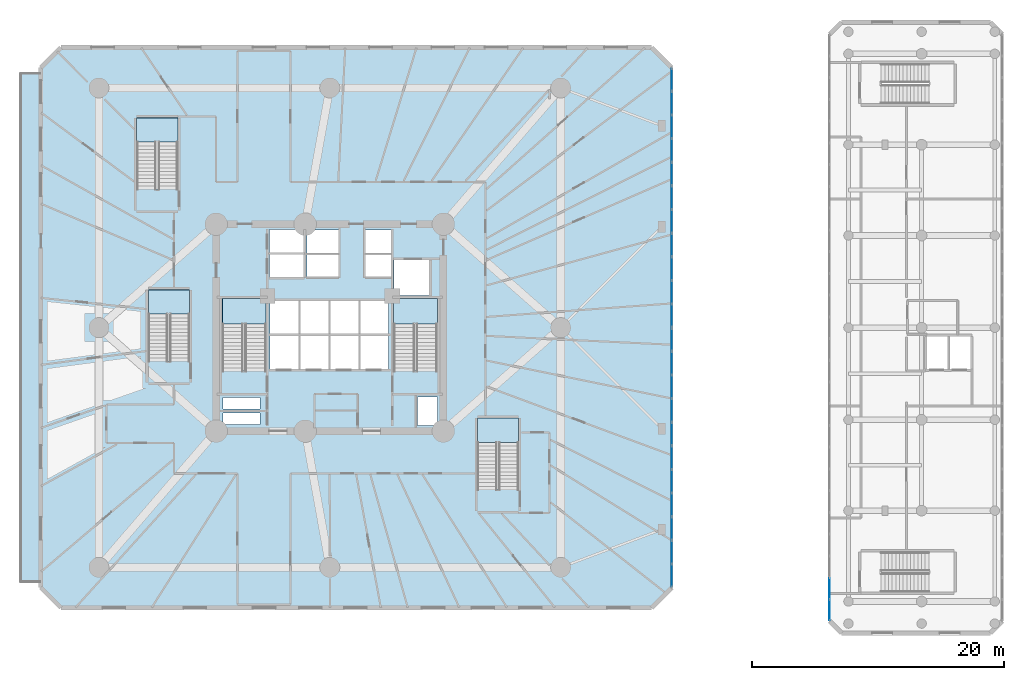
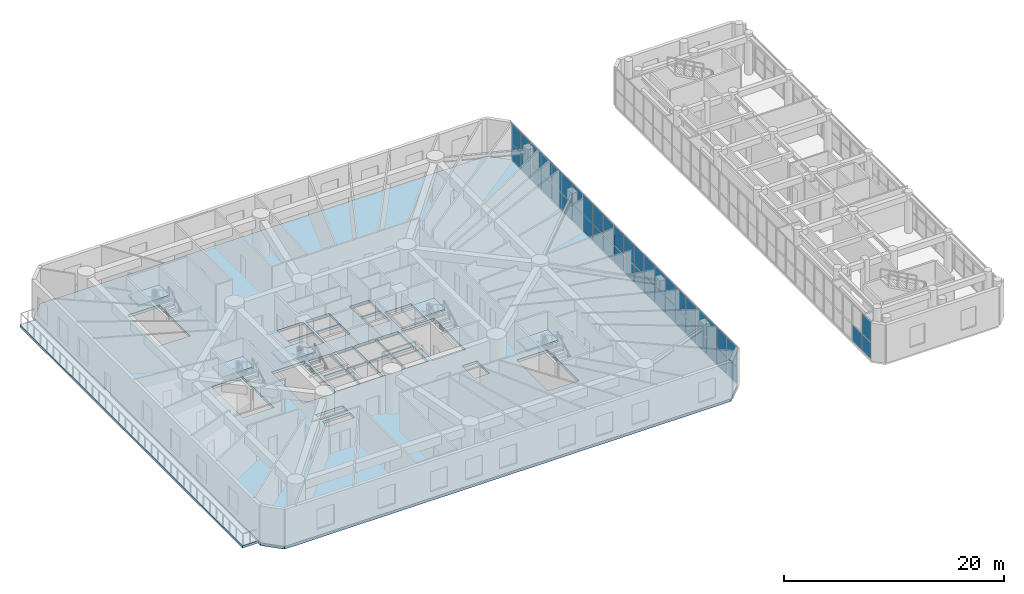
# One storey, part 9 of 24: 47 plates, 7 slabs, 8 elements without a shape of their own.
"""IFC4 building model written with IfcOpenShell, lengths in metres."""

from ifc_helpers import new_model, si_unit, direction, frame, origin, origin_with_axes, origin_2d, place, context, subcontext, project, spatial, polyline, rectangle, outline, extrude, source, transform, mapped, material, layer, layer_set, type_object, element, aggregate, save


model = new_model("IFC4")

# Units and contexts
model_context = context("Model", 3, precision=1e-05, world=origin(), true_north=direction((0.0, 1.0)))
body_context = subcontext(model_context, "Body", "Model", "MODEL_VIEW")
ifc_project = project(units=[si_unit("LENGTHUNIT", "METRE"), si_unit("AREAUNIT", "SQUARE_METRE"), si_unit("VOLUMEUNIT", "CUBIC_METRE"), si_unit("PLANEANGLEUNIT", "RADIAN"), si_unit("MASSUNIT", "GRAM", prefix="KILO")], contexts=[model_context])

# Site, building, storey
site_placement = place(None, origin())
site = spatial("IfcSite", under=ifc_project, at=site_placement, CompositionType="ELEMENT")
building_placement = place(site_placement, origin())
building = spatial("IfcBuilding", under=site, at=building_placement, Name="Karkom Vertical University and Central Library", CompositionType="ELEMENT")
storey_placement = place(building_placement, frame((0.0, 0.0, 13.5)))
storey = spatial("IfcBuildingStorey", under=building, at=storey_placement, Name="L03", CompositionType="ELEMENT", Elevation=13.5)

# Stair, slab
ifc_material_1 = material(Name="Concrete C45/55", Category="concrete")
stair_type_1 = type_object("IfcStairType", Name="INT-STR-ST-MAIN", PredefinedType="HALF_TURN_STAIR", material=ifc_material_1)
stair_1_placement = place(storey_placement, origin())
stair_1 = element("IfcStair", 1, at=stair_1_placement, inside=storey, type_object=stair_type_1, Name="Level 03 Tower Protected Exit Stair ST-1", PredefinedType="HALF_TURN_STAIR")
ifc_layer_1 = layer(ifc_material_1, 0.199951171875)
ifc_layer_set_1 = layer_set([ifc_layer_1], Name="Concrete C45/55")
slab_type_1 = type_object("IfcSlabType", Name="INT-SLB-LANDING", PredefinedType="LANDING", material=ifc_layer_set_1)
slab_1_placement = place(storey_placement, frame((0.0, 0.0, 2.050048828125)))
slab_1 = element("IfcSlab", 2, at=slab_1_placement, type_object=slab_type_1, Name="ST-1 landing 1", PredefinedType="LANDING", context=body_context, shape_type="SweptSolid", body=[
    extrude(outline(polyline([(23.43994140625, 26.7900390625), (23.43994140625, 28.820068359375), (19.97998046875, 28.820068359375), (19.97998046875, 26.7900390625), (23.43994140625, 26.7900390625)])), origin(), (0.0, 0.0, 1.0), 0.199951171875),
])
aggregate(stair_1, [slab_1])

stair_2_placement = place(storey_placement, origin())
stair_2 = element("IfcStair", 3, at=stair_2_placement, inside=storey, type_object=stair_type_1, Name="Level 03 Tower Protected Exit Stair ST-2", PredefinedType="HALF_TURN_STAIR")
slab_2_placement = place(storey_placement, frame((0.0, 0.0, 2.050048828125)))
slab_2 = element("IfcSlab", 4, at=slab_2_placement, type_object=slab_type_1, Name="ST-2 landing 1", PredefinedType="LANDING", context=body_context, shape_type="SweptSolid", body=[
    extrude(outline(polyline([(37.02001953125, 26.7900390625), (37.02001953125, 28.820068359375), (33.56005859375, 28.820068359375), (33.56005859375, 26.7900390625), (37.02001953125, 26.7900390625)])), origin(), (0.0, 0.0, 1.0), 0.199951171875),
])
aggregate(stair_2, [slab_2])

stair_type_2 = type_object("IfcStairType", Name="INT-STR-ST-SEC", PredefinedType="HALF_TURN_STAIR", material=ifc_material_1)
stair_3_placement = place(storey_placement, origin())
stair_3 = element("IfcStair", 5, at=stair_3_placement, inside=storey, type_object=stair_type_2, Name="Level 03 Academic Zone Protected Exit Stair ST-3", PredefinedType="HALF_TURN_STAIR")
slab_3_placement = place(storey_placement, frame((0.0, 0.0, 2.050048828125)))
slab_3 = element("IfcSlab", 6, at=slab_3_placement, type_object=slab_type_1, Name="ST-3 landing 1", PredefinedType="LANDING", context=body_context, shape_type="SweptSolid", body=[
    extrude(outline(polyline([(17.3798828125, 27.570068359375), (17.3798828125, 29.5), (14.1201171875, 29.5), (14.1201171875, 27.570068359375), (17.3798828125, 27.570068359375)])), origin(), (0.0, 0.0, 1.0), 0.199951171875),
])
aggregate(stair_3, [slab_3])

stair_4_placement = place(storey_placement, origin())
stair_4 = element("IfcStair", 7, at=stair_4_placement, inside=storey, type_object=stair_type_2, Name="Level 03 Podium Terraced Feature Stair POD-ST1", PredefinedType="HALF_TURN_STAIR")
slab_4_placement = place(storey_placement, frame((0.0, 0.0, 2.050048828125)))
slab_4 = element("IfcSlab", 8, at=slab_4_placement, type_object=slab_type_1, Name="POD-ST1 landing 1", PredefinedType="LANDING", context=body_context, shape_type="SweptSolid", body=[
    extrude(outline(polyline([(43.4599609375, 17.39990234375), (43.4599609375, 19.330078125), (40.199951171875, 19.330078125), (40.199951171875, 17.39990234375), (43.4599609375, 17.39990234375)])), origin(), (0.0, 0.0, 1.0), 0.199951171875),
])
aggregate(stair_4, [slab_4])

stair_5_placement = place(storey_placement, origin())
stair_5 = element("IfcStair", 9, at=stair_5_placement, inside=storey, type_object=stair_type_2, Name="Level 03 Podium Gallery Stair POD-ST2", PredefinedType="HALF_TURN_STAIR")
slab_5_placement = place(storey_placement, frame((0.0, 0.0, 2.050048828125)))
slab_5 = element("IfcSlab", 10, at=slab_5_placement, type_object=slab_type_1, Name="POD-ST2 landing 1", PredefinedType="LANDING", context=body_context, shape_type="SweptSolid", body=[
    extrude(outline(polyline([(16.4599609375, 41.199951171875), (16.4599609375, 43.1298828125), (13.199951171875, 43.1298828125), (13.199951171875, 41.199951171875), (16.4599609375, 41.199951171875)])), origin(), (0.0, 0.0, 1.0), 0.199951171875),
])
aggregate(stair_5, [slab_5])

# Slabs
ifc_layer_2 = layer(ifc_material_1, 0.300048828125)
ifc_layer_set_2 = layer_set([ifc_layer_2], Name="Concrete C45/55")
slab_type_2 = type_object("IfcSlabType", Name="STR-SLB-FLR-300", PredefinedType="FLOOR", material=ifc_layer_set_2)
slab_6_placement = place(storey_placement, frame((0.0, 0.0, -0.300048828125)))
element("IfcSlab", 11, at=slab_6_placement, inside=storey, type_object=slab_type_2, Name="Level 03 Tower Podium Floor Slab", PredefinedType="FLOOR", context=body_context, shape_type="SweptSolid", body=[
    extrude(outline(polyline([(7.199951171875, 4.300048828125), (54.0, 4.300048828125), (55.60009765625, 5.89990234375), (55.60009765625, 47.10009765625), (54.0, 48.699951171875), (7.199951171875, 48.699951171875), (5.60009765625, 47.10009765625), (5.60009765625, 5.89990234375), (7.199951171875, 4.300048828125)]), holes=[polyline([(19.97998046875, 23.0849609375), (23.43994140625, 23.0849609375), (23.43994140625, 28.820068359375), (19.97998046875, 28.820068359375), (19.97998046875, 23.0849609375)]), polyline([(33.56005859375, 23.0849609375), (37.02001953125, 23.0849609375), (37.02001953125, 28.820068359375), (33.56005859375, 28.820068359375), (33.56005859375, 23.0849609375)]), polyline([(14.1201171875, 23.864990234375), (17.3798828125, 23.864990234375), (17.3798828125, 29.5), (14.1201171875, 29.5), (14.1201171875, 23.864990234375)]), polyline([(40.199951171875, 13.695068359375), (43.4599609375, 13.695068359375), (43.4599609375, 19.330078125), (40.199951171875, 19.330078125), (40.199951171875, 13.695068359375)]), polyline([(13.199951171875, 37.4951171875), (16.4599609375, 37.4951171875), (16.4599609375, 43.1298828125), (13.199951171875, 43.1298828125), (13.199951171875, 37.4951171875)]), polyline([(23.75, 23.199951171875), (26.030029296875, 23.199951171875), (26.030029296875, 25.85009765625), (23.75, 25.85009765625), (23.75, 23.199951171875)]), polyline([(26.1298828125, 23.199951171875), (28.409912109375, 23.199951171875), (28.409912109375, 25.85009765625), (26.1298828125, 25.85009765625), (26.1298828125, 23.199951171875)]), polyline([(28.510009765625, 23.199951171875), (30.7900390625, 23.199951171875), (30.7900390625, 25.85009765625), (28.510009765625, 25.85009765625), (28.510009765625, 23.199951171875)]), polyline([(30.889892578125, 23.199951171875), (33.169921875, 23.199951171875), (33.169921875, 25.85009765625), (30.889892578125, 25.85009765625), (30.889892578125, 23.199951171875)]), polyline([(23.75, 26.0), (26.030029296875, 26.0), (26.030029296875, 28.64990234375), (23.75, 28.64990234375), (23.75, 26.0)]), polyline([(26.1298828125, 26.0), (28.409912109375, 26.0), (28.409912109375, 28.64990234375), (26.1298828125, 28.64990234375), (26.1298828125, 26.0)]), polyline([(28.510009765625, 26.0), (30.7900390625, 26.0), (30.7900390625, 28.64990234375), (28.510009765625, 28.64990234375), (28.510009765625, 26.0)]), polyline([(30.889892578125, 26.0), (33.169921875, 26.0), (33.169921875, 28.64990234375), (30.889892578125, 28.64990234375), (30.889892578125, 26.0)]), polyline([(26.679931640625, 30.5), (29.199951171875, 30.5), (29.199951171875, 32.25), (26.679931640625, 32.25), (26.679931640625, 30.5)]), polyline([(26.679931640625, 32.39990234375), (29.199951171875, 32.39990234375), (29.199951171875, 34.25), (26.679931640625, 34.25), (26.679931640625, 32.39990234375)]), polyline([(31.300048828125, 30.5), (33.35009765625, 30.5), (33.35009765625, 32.25), (31.300048828125, 32.25), (31.300048828125, 30.5)]), polyline([(31.300048828125, 32.39990234375), (33.35009765625, 32.39990234375), (33.35009765625, 34.25), (31.300048828125, 34.25), (31.300048828125, 32.39990234375)]), polyline([(23.719970703125, 30.47998046875), (26.429931640625, 30.47998046875), (26.429931640625, 32.320068359375), (23.719970703125, 32.320068359375), (23.719970703125, 30.47998046875)]), polyline([(23.719970703125, 32.419921875), (26.429931640625, 32.419921875), (26.429931640625, 34.260009765625), (23.719970703125, 34.260009765625), (23.719970703125, 32.419921875)]), polyline([(33.60009765625, 29.050048828125), (36.39990234375, 29.050048828125), (36.39990234375, 31.85009765625), (33.60009765625, 31.85009765625), (33.60009765625, 29.050048828125)]), polyline([(20.050048828125, 18.820068359375), (22.949951171875, 18.820068359375), (22.949951171875, 19.719970703125), (20.050048828125, 19.719970703125), (20.050048828125, 18.820068359375)]), polyline([(20.050048828125, 20.06005859375), (22.949951171875, 20.06005859375), (22.949951171875, 20.9599609375), (20.050048828125, 20.9599609375), (20.050048828125, 20.06005859375)]), polyline([(35.4599609375, 18.760009765625), (37.0400390625, 18.760009765625), (37.0400390625, 21.010009765625), (35.4599609375, 21.010009765625), (35.4599609375, 18.760009765625)])]), origin(), (0.0, 0.0, 1.0), 0.300048828125),
])
ifc_layer_3 = layer(ifc_material_1, 0.199951171875)
ifc_layer_set_3 = layer_set([ifc_layer_3], Name="Concrete C45/55")
slab_type_3 = type_object("IfcSlabType", Name="STR-SLB-PLN-260", PredefinedType="USERDEFINED", material=ifc_layer_set_3)
slab_7_placement = place(storey_placement, frame((0.0, 0.0, -0.260009765625)))
element("IfcSlab", 12, at=slab_7_placement, inside=storey, type_object=slab_type_3, Name="Level 03 Terraced Podium Planted Roof Garden Planter", ObjectType="PLANTER", PredefinedType="USERDEFINED", context=body_context, shape_type="SweptSolid", body=[
    extrude(outline(polyline([(3.949951171875, 6.300048828125), (5.60009765625, 6.300048828125), (5.60009765625, 46.699951171875), (3.949951171875, 46.699951171875), (3.949951171875, 6.300048828125)])), origin(), (0.0, 0.0, 1.0), 0.260009765625),
])

# Curtain wall, plates
ifc_material_2 = material(Name="Aluminium curtain-wall framing and low-E IGU", Category="aluminium")
ifc_layer_4 = layer(ifc_material_2, 0.199951171875)
ifc_layer_set_4 = layer_set([ifc_layer_4], Name="Aluminium curtain-wall framing and low-E IGU")
curtain_wall_type_1 = type_object("IfcCurtainWallType", Name="ENV-CW-3", PredefinedType="USERDEFINED", material=ifc_layer_set_4)
curtain_wall_1_placement = place(storey_placement, origin())
curtain_wall_1 = element("IfcCurtainWall", 13, at=curtain_wall_1_placement, inside=storey, type_object=curtain_wall_type_1, Name="Level 03 CW-3 Curtain Wall Level 03-CW3-3-1", ObjectType="STICK MULLION GLAZING", PredefinedType="USERDEFINED")
ifc_material_3 = material(Name="Solar-control low-E double glazing 32mm", Category="glass")
ifc_layer_5 = layer(ifc_material_3, 0.031982421875)
ifc_layer_set_5 = layer_set([ifc_layer_5], Name="Solar-control low-E double glazing 32mm")
plate_type_1 = type_object("IfcPlateType", Name="ENV-PLT-GLZ-32", PredefinedType="CURTAIN_PANEL", material=ifc_layer_set_5)
shared_shape_1 = source(origin_with_axes(), body_context, "Body", "SweptSolid", [
    extrude(rectangle(XDim=1.76025390625, YDim=0.031982421875, at=origin_2d()), origin(), (0.0, 0.0, 1.0), 1.788818359375),
])
plate_1_placement = place(storey_placement, frame((55.60009765625, 6.855224609375, 0.07470703125), z_axis=(0.0, 0.0, 1.0), x_axis=(0.0, 1.0, 0.0)))
plate_1 = element("IfcPlate", 14, at=plate_1_placement, type_object=plate_type_1, Name="CW-3 panel 1.1", PredefinedType="CURTAIN_PANEL", context=body_context, shape_type="MappedRepresentation", body=[
    mapped(shared_shape_1, transform((0.0, 0.0, 0.0), scale=1.0)),
])
plate_2_placement = place(storey_placement, frame((55.60009765625, 25.544921875, 0.07470703125), z_axis=(0.0, 0.0, 1.0), x_axis=(0.0, 1.0, 0.0)))
plate_2 = element("IfcPlate", 15, at=plate_2_placement, type_object=plate_type_1, Name="CW-3 panel 11.1", PredefinedType="CURTAIN_PANEL", context=body_context, shape_type="MappedRepresentation", body=[
    mapped(shared_shape_1, transform((0.0, 0.0, 0.0), scale=1.0)),
])

curtain_wall_2_placement = place(storey_placement, origin())
curtain_wall_2 = element("IfcCurtainWall", 16, at=curtain_wall_2_placement, inside=storey, type_object=curtain_wall_type_1, Name="Level 03 CW-3 Curtain Wall Level 03-CW3-3-2", ObjectType="STICK MULLION GLAZING", PredefinedType="USERDEFINED")
plate_3_placement = place(storey_placement, frame((55.60009765625, 27.455078125, 0.07470703125), z_axis=(0.0, 0.0, 1.0), x_axis=(0.0, 1.0, 0.0)))
plate_3 = element("IfcPlate", 17, at=plate_3_placement, type_object=plate_type_1, Name="CW-3 panel 1.1", PredefinedType="CURTAIN_PANEL", context=body_context, shape_type="MappedRepresentation", body=[
    mapped(shared_shape_1, transform((0.0, 0.0, 0.0), scale=1.0)),
])
plate_4_placement = place(storey_placement, frame((55.60009765625, 46.144775390625, 0.07470703125), z_axis=(0.0, 0.0, 1.0), x_axis=(0.0, 1.0, 0.0)))
plate_4 = element("IfcPlate", 18, at=plate_4_placement, type_object=plate_type_1, Name="CW-3 panel 11.1", PredefinedType="CURTAIN_PANEL", context=body_context, shape_type="MappedRepresentation", body=[
    mapped(shared_shape_1, transform((0.0, 0.0, 0.0), scale=1.0)),
])

# Plate
shared_shape_2 = source(origin_with_axes(), body_context, "Body", "SweptSolid", [
    extrude(rectangle(XDim=1.76025390625, YDim=0.031982421875, at=origin_2d()), origin(), (0.0, 0.0, 1.0), 2.211181640625),
])
plate_5_placement = place(storey_placement, frame((55.60009765625, 6.855224609375, 1.93896484375), z_axis=(0.0, 0.0, 1.0), x_axis=(0.0, 1.0, 0.0)))
plate_5 = element("IfcPlate", 19, at=plate_5_placement, type_object=plate_type_1, Name="CW-3 panel 1.2", PredefinedType="CURTAIN_PANEL", context=body_context, shape_type="MappedRepresentation", body=[
    mapped(shared_shape_2, transform((0.0, 0.0, 0.0), scale=1.0)),
])

plate_6_placement = place(storey_placement, frame((55.60009765625, 25.544921875, 1.93896484375), z_axis=(0.0, 0.0, 1.0), x_axis=(0.0, 1.0, 0.0)))
plate_6 = element("IfcPlate", 20, at=plate_6_placement, type_object=plate_type_1, Name="CW-3 panel 11.2", PredefinedType="CURTAIN_PANEL", context=body_context, shape_type="MappedRepresentation", body=[
    mapped(shared_shape_2, transform((0.0, 0.0, 0.0), scale=1.0)),
])

plate_7_placement = place(storey_placement, frame((55.60009765625, 27.455078125, 1.93896484375), z_axis=(0.0, 0.0, 1.0), x_axis=(0.0, 1.0, 0.0)))
plate_7 = element("IfcPlate", 21, at=plate_7_placement, type_object=plate_type_1, Name="CW-3 panel 1.2", PredefinedType="CURTAIN_PANEL", context=body_context, shape_type="MappedRepresentation", body=[
    mapped(shared_shape_2, transform((0.0, 0.0, 0.0), scale=1.0)),
])

plate_8_placement = place(storey_placement, frame((55.60009765625, 46.144775390625, 1.93896484375), z_axis=(0.0, 0.0, 1.0), x_axis=(0.0, 1.0, 0.0)))
plate_8 = element("IfcPlate", 22, at=plate_8_placement, type_object=plate_type_1, Name="CW-3 panel 11.2", PredefinedType="CURTAIN_PANEL", context=body_context, shape_type="MappedRepresentation", body=[
    mapped(shared_shape_2, transform((0.0, 0.0, 0.0), scale=1.0)),
])

shared_shape_3 = source(origin_with_axes(), body_context, "Body", "SweptSolid", [
    extrude(rectangle(XDim=1.797607421875, YDim=0.031982421875, at=origin_2d()), origin(), (0.0, 0.0, 1.0), 1.788818359375),
])
plate_9_placement = place(storey_placement, frame((55.60009765625, 8.708984375, 0.07470703125), z_axis=(0.0, 0.0, 1.0), x_axis=(0.0, 1.0, 0.0)))
plate_9 = element("IfcPlate", 23, at=plate_9_placement, type_object=plate_type_1, Name="CW-3 panel 2.1", PredefinedType="CURTAIN_PANEL", context=body_context, shape_type="MappedRepresentation", body=[
    mapped(shared_shape_3, transform((0.0, 0.0, 0.0), scale=1.0)),
])

plate_10_placement = place(storey_placement, frame((55.60009765625, 10.581787109375, 0.07470703125), z_axis=(0.0, 0.0, 1.0), x_axis=(0.0, 1.0, 0.0)))
plate_10 = element("IfcPlate", 24, at=plate_10_placement, type_object=plate_type_1, Name="CW-3 panel 3.1", PredefinedType="CURTAIN_PANEL", context=body_context, shape_type="MappedRepresentation", body=[
    mapped(shared_shape_3, transform((0.0, 0.0, 0.0), scale=1.0)),
])

plate_11_placement = place(storey_placement, frame((55.60009765625, 12.45458984375, 0.07470703125), z_axis=(0.0, 0.0, 1.0), x_axis=(0.0, 1.0, 0.0)))
plate_11 = element("IfcPlate", 25, at=plate_11_placement, type_object=plate_type_1, Name="CW-3 panel 4.1", PredefinedType="CURTAIN_PANEL", context=body_context, shape_type="MappedRepresentation", body=[
    mapped(shared_shape_3, transform((0.0, 0.0, 0.0), scale=1.0)),
])

plate_12_placement = place(storey_placement, frame((55.60009765625, 14.327392578125, 0.07470703125), z_axis=(0.0, 0.0, 1.0), x_axis=(0.0, 1.0, 0.0)))
plate_12 = element("IfcPlate", 26, at=plate_12_placement, type_object=plate_type_1, Name="CW-3 panel 5.1", PredefinedType="CURTAIN_PANEL", context=body_context, shape_type="MappedRepresentation", body=[
    mapped(shared_shape_3, transform((0.0, 0.0, 0.0), scale=1.0)),
])

plate_13_placement = place(storey_placement, frame((55.60009765625, 16.199951171875, 0.07470703125), z_axis=(0.0, 0.0, 1.0), x_axis=(0.0, 1.0, 0.0)))
plate_13 = element("IfcPlate", 27, at=plate_13_placement, type_object=plate_type_1, Name="CW-3 panel 6.1", PredefinedType="CURTAIN_PANEL", context=body_context, shape_type="MappedRepresentation", body=[
    mapped(shared_shape_3, transform((0.0, 0.0, 0.0), scale=1.0)),
])

plate_14_placement = place(storey_placement, frame((55.60009765625, 18.07275390625, 0.07470703125), z_axis=(0.0, 0.0, 1.0), x_axis=(0.0, 1.0, 0.0)))
plate_14 = element("IfcPlate", 28, at=plate_14_placement, type_object=plate_type_1, Name="CW-3 panel 7.1", PredefinedType="CURTAIN_PANEL", context=body_context, shape_type="MappedRepresentation", body=[
    mapped(shared_shape_3, transform((0.0, 0.0, 0.0), scale=1.0)),
])

plate_15_placement = place(storey_placement, frame((55.60009765625, 19.945556640625, 0.07470703125), z_axis=(0.0, 0.0, 1.0), x_axis=(0.0, 1.0, 0.0)))
plate_15 = element("IfcPlate", 29, at=plate_15_placement, type_object=plate_type_1, Name="CW-3 panel 8.1", PredefinedType="CURTAIN_PANEL", context=body_context, shape_type="MappedRepresentation", body=[
    mapped(shared_shape_3, transform((0.0, 0.0, 0.0), scale=1.0)),
])

plate_16_placement = place(storey_placement, frame((55.60009765625, 21.818115234375, 0.07470703125), z_axis=(0.0, 0.0, 1.0), x_axis=(0.0, 1.0, 0.0)))
plate_16 = element("IfcPlate", 30, at=plate_16_placement, type_object=plate_type_1, Name="CW-3 panel 9.1", PredefinedType="CURTAIN_PANEL", context=body_context, shape_type="MappedRepresentation", body=[
    mapped(shared_shape_3, transform((0.0, 0.0, 0.0), scale=1.0)),
])

plate_17_placement = place(storey_placement, frame((55.60009765625, 23.69091796875, 0.07470703125), z_axis=(0.0, 0.0, 1.0), x_axis=(0.0, 1.0, 0.0)))
plate_17 = element("IfcPlate", 31, at=plate_17_placement, type_object=plate_type_1, Name="CW-3 panel 10.1", PredefinedType="CURTAIN_PANEL", context=body_context, shape_type="MappedRepresentation", body=[
    mapped(shared_shape_3, transform((0.0, 0.0, 0.0), scale=1.0)),
])

plate_18_placement = place(storey_placement, frame((55.60009765625, 29.30908203125, 0.07470703125), z_axis=(0.0, 0.0, 1.0), x_axis=(0.0, 1.0, 0.0)))
plate_18 = element("IfcPlate", 32, at=plate_18_placement, type_object=plate_type_1, Name="CW-3 panel 2.1", PredefinedType="CURTAIN_PANEL", context=body_context, shape_type="MappedRepresentation", body=[
    mapped(shared_shape_3, transform((0.0, 0.0, 0.0), scale=1.0)),
])

plate_19_placement = place(storey_placement, frame((55.60009765625, 31.181884765625, 0.07470703125), z_axis=(0.0, 0.0, 1.0), x_axis=(0.0, 1.0, 0.0)))
plate_19 = element("IfcPlate", 33, at=plate_19_placement, type_object=plate_type_1, Name="CW-3 panel 3.1", PredefinedType="CURTAIN_PANEL", context=body_context, shape_type="MappedRepresentation", body=[
    mapped(shared_shape_3, transform((0.0, 0.0, 0.0), scale=1.0)),
])

plate_20_placement = place(storey_placement, frame((55.60009765625, 33.054443359375, 0.07470703125), z_axis=(0.0, 0.0, 1.0), x_axis=(0.0, 1.0, 0.0)))
plate_20 = element("IfcPlate", 34, at=plate_20_placement, type_object=plate_type_1, Name="CW-3 panel 4.1", PredefinedType="CURTAIN_PANEL", context=body_context, shape_type="MappedRepresentation", body=[
    mapped(shared_shape_3, transform((0.0, 0.0, 0.0), scale=1.0)),
])

plate_21_placement = place(storey_placement, frame((55.60009765625, 34.92724609375, 0.07470703125), z_axis=(0.0, 0.0, 1.0), x_axis=(0.0, 1.0, 0.0)))
plate_21 = element("IfcPlate", 35, at=plate_21_placement, type_object=plate_type_1, Name="CW-3 panel 5.1", PredefinedType="CURTAIN_PANEL", context=body_context, shape_type="MappedRepresentation", body=[
    mapped(shared_shape_3, transform((0.0, 0.0, 0.0), scale=1.0)),
])

plate_22_placement = place(storey_placement, frame((55.60009765625, 36.800048828125, 0.07470703125), z_axis=(0.0, 0.0, 1.0), x_axis=(0.0, 1.0, 0.0)))
plate_22 = element("IfcPlate", 36, at=plate_22_placement, type_object=plate_type_1, Name="CW-3 panel 6.1", PredefinedType="CURTAIN_PANEL", context=body_context, shape_type="MappedRepresentation", body=[
    mapped(shared_shape_3, transform((0.0, 0.0, 0.0), scale=1.0)),
])

plate_23_placement = place(storey_placement, frame((55.60009765625, 38.672607421875, 0.07470703125), z_axis=(0.0, 0.0, 1.0), x_axis=(0.0, 1.0, 0.0)))
plate_23 = element("IfcPlate", 37, at=plate_23_placement, type_object=plate_type_1, Name="CW-3 panel 7.1", PredefinedType="CURTAIN_PANEL", context=body_context, shape_type="MappedRepresentation", body=[
    mapped(shared_shape_3, transform((0.0, 0.0, 0.0), scale=1.0)),
])

plate_24_placement = place(storey_placement, frame((55.60009765625, 40.54541015625, 0.07470703125), z_axis=(0.0, 0.0, 1.0), x_axis=(0.0, 1.0, 0.0)))
plate_24 = element("IfcPlate", 38, at=plate_24_placement, type_object=plate_type_1, Name="CW-3 panel 8.1", PredefinedType="CURTAIN_PANEL", context=body_context, shape_type="MappedRepresentation", body=[
    mapped(shared_shape_3, transform((0.0, 0.0, 0.0), scale=1.0)),
])

plate_25_placement = place(storey_placement, frame((55.60009765625, 42.418212890625, 0.07470703125), z_axis=(0.0, 0.0, 1.0), x_axis=(0.0, 1.0, 0.0)))
plate_25 = element("IfcPlate", 39, at=plate_25_placement, type_object=plate_type_1, Name="CW-3 panel 9.1", PredefinedType="CURTAIN_PANEL", context=body_context, shape_type="MappedRepresentation", body=[
    mapped(shared_shape_3, transform((0.0, 0.0, 0.0), scale=1.0)),
])

plate_26_placement = place(storey_placement, frame((55.60009765625, 44.291015625, 0.07470703125), z_axis=(0.0, 0.0, 1.0), x_axis=(0.0, 1.0, 0.0)))
plate_26 = element("IfcPlate", 40, at=plate_26_placement, type_object=plate_type_1, Name="CW-3 panel 10.1", PredefinedType="CURTAIN_PANEL", context=body_context, shape_type="MappedRepresentation", body=[
    mapped(shared_shape_3, transform((0.0, 0.0, 0.0), scale=1.0)),
])

shared_shape_4 = source(origin_with_axes(), body_context, "Body", "SweptSolid", [
    extrude(rectangle(XDim=1.797607421875, YDim=0.031982421875, at=origin_2d()), origin(), (0.0, 0.0, 1.0), 2.211181640625),
])
plate_27_placement = place(storey_placement, frame((55.60009765625, 8.708984375, 1.93896484375), z_axis=(0.0, 0.0, 1.0), x_axis=(0.0, 1.0, 0.0)))
plate_27 = element("IfcPlate", 41, at=plate_27_placement, type_object=plate_type_1, Name="CW-3 panel 2.2", PredefinedType="CURTAIN_PANEL", context=body_context, shape_type="MappedRepresentation", body=[
    mapped(shared_shape_4, transform((0.0, 0.0, 0.0), scale=1.0)),
])

plate_28_placement = place(storey_placement, frame((55.60009765625, 10.581787109375, 1.93896484375), z_axis=(0.0, 0.0, 1.0), x_axis=(0.0, 1.0, 0.0)))
plate_28 = element("IfcPlate", 42, at=plate_28_placement, type_object=plate_type_1, Name="CW-3 panel 3.2", PredefinedType="CURTAIN_PANEL", context=body_context, shape_type="MappedRepresentation", body=[
    mapped(shared_shape_4, transform((0.0, 0.0, 0.0), scale=1.0)),
])

plate_29_placement = place(storey_placement, frame((55.60009765625, 12.45458984375, 1.93896484375), z_axis=(0.0, 0.0, 1.0), x_axis=(0.0, 1.0, 0.0)))
plate_29 = element("IfcPlate", 43, at=plate_29_placement, type_object=plate_type_1, Name="CW-3 panel 4.2", PredefinedType="CURTAIN_PANEL", context=body_context, shape_type="MappedRepresentation", body=[
    mapped(shared_shape_4, transform((0.0, 0.0, 0.0), scale=1.0)),
])

plate_30_placement = place(storey_placement, frame((55.60009765625, 14.327392578125, 1.93896484375), z_axis=(0.0, 0.0, 1.0), x_axis=(0.0, 1.0, 0.0)))
plate_30 = element("IfcPlate", 44, at=plate_30_placement, type_object=plate_type_1, Name="CW-3 panel 5.2", PredefinedType="CURTAIN_PANEL", context=body_context, shape_type="MappedRepresentation", body=[
    mapped(shared_shape_4, transform((0.0, 0.0, 0.0), scale=1.0)),
])

plate_31_placement = place(storey_placement, frame((55.60009765625, 16.199951171875, 1.93896484375), z_axis=(0.0, 0.0, 1.0), x_axis=(0.0, 1.0, 0.0)))
plate_31 = element("IfcPlate", 45, at=plate_31_placement, type_object=plate_type_1, Name="CW-3 panel 6.2", PredefinedType="CURTAIN_PANEL", context=body_context, shape_type="MappedRepresentation", body=[
    mapped(shared_shape_4, transform((0.0, 0.0, 0.0), scale=1.0)),
])

plate_32_placement = place(storey_placement, frame((55.60009765625, 18.07275390625, 1.93896484375), z_axis=(0.0, 0.0, 1.0), x_axis=(0.0, 1.0, 0.0)))
plate_32 = element("IfcPlate", 46, at=plate_32_placement, type_object=plate_type_1, Name="CW-3 panel 7.2", PredefinedType="CURTAIN_PANEL", context=body_context, shape_type="MappedRepresentation", body=[
    mapped(shared_shape_4, transform((0.0, 0.0, 0.0), scale=1.0)),
])

plate_33_placement = place(storey_placement, frame((55.60009765625, 19.945556640625, 1.93896484375), z_axis=(0.0, 0.0, 1.0), x_axis=(0.0, 1.0, 0.0)))
plate_33 = element("IfcPlate", 47, at=plate_33_placement, type_object=plate_type_1, Name="CW-3 panel 8.2", PredefinedType="CURTAIN_PANEL", context=body_context, shape_type="MappedRepresentation", body=[
    mapped(shared_shape_4, transform((0.0, 0.0, 0.0), scale=1.0)),
])

plate_34_placement = place(storey_placement, frame((55.60009765625, 21.818115234375, 1.93896484375), z_axis=(0.0, 0.0, 1.0), x_axis=(0.0, 1.0, 0.0)))
plate_34 = element("IfcPlate", 48, at=plate_34_placement, type_object=plate_type_1, Name="CW-3 panel 9.2", PredefinedType="CURTAIN_PANEL", context=body_context, shape_type="MappedRepresentation", body=[
    mapped(shared_shape_4, transform((0.0, 0.0, 0.0), scale=1.0)),
])

plate_35_placement = place(storey_placement, frame((55.60009765625, 23.69091796875, 1.93896484375), z_axis=(0.0, 0.0, 1.0), x_axis=(0.0, 1.0, 0.0)))
plate_35 = element("IfcPlate", 49, at=plate_35_placement, type_object=plate_type_1, Name="CW-3 panel 10.2", PredefinedType="CURTAIN_PANEL", context=body_context, shape_type="MappedRepresentation", body=[
    mapped(shared_shape_4, transform((0.0, 0.0, 0.0), scale=1.0)),
])

aggregate(curtain_wall_1, [plate_1, plate_5, plate_9, plate_27, plate_10, plate_28, plate_11, plate_29, plate_12, plate_30, plate_13, plate_31, plate_14, plate_32, plate_15, plate_33, plate_16, plate_34, plate_17, plate_35, plate_2, plate_6])

plate_36_placement = place(storey_placement, frame((55.60009765625, 29.30908203125, 1.93896484375), z_axis=(0.0, 0.0, 1.0), x_axis=(0.0, 1.0, 0.0)))
plate_36 = element("IfcPlate", 50, at=plate_36_placement, type_object=plate_type_1, Name="CW-3 panel 2.2", PredefinedType="CURTAIN_PANEL", context=body_context, shape_type="MappedRepresentation", body=[
    mapped(shared_shape_4, transform((0.0, 0.0, 0.0), scale=1.0)),
])

plate_37_placement = place(storey_placement, frame((55.60009765625, 31.181884765625, 1.93896484375), z_axis=(0.0, 0.0, 1.0), x_axis=(0.0, 1.0, 0.0)))
plate_37 = element("IfcPlate", 51, at=plate_37_placement, type_object=plate_type_1, Name="CW-3 panel 3.2", PredefinedType="CURTAIN_PANEL", context=body_context, shape_type="MappedRepresentation", body=[
    mapped(shared_shape_4, transform((0.0, 0.0, 0.0), scale=1.0)),
])

plate_38_placement = place(storey_placement, frame((55.60009765625, 33.054443359375, 1.93896484375), z_axis=(0.0, 0.0, 1.0), x_axis=(0.0, 1.0, 0.0)))
plate_38 = element("IfcPlate", 52, at=plate_38_placement, type_object=plate_type_1, Name="CW-3 panel 4.2", PredefinedType="CURTAIN_PANEL", context=body_context, shape_type="MappedRepresentation", body=[
    mapped(shared_shape_4, transform((0.0, 0.0, 0.0), scale=1.0)),
])

plate_39_placement = place(storey_placement, frame((55.60009765625, 34.92724609375, 1.93896484375), z_axis=(0.0, 0.0, 1.0), x_axis=(0.0, 1.0, 0.0)))
plate_39 = element("IfcPlate", 53, at=plate_39_placement, type_object=plate_type_1, Name="CW-3 panel 5.2", PredefinedType="CURTAIN_PANEL", context=body_context, shape_type="MappedRepresentation", body=[
    mapped(shared_shape_4, transform((0.0, 0.0, 0.0), scale=1.0)),
])

plate_40_placement = place(storey_placement, frame((55.60009765625, 36.800048828125, 1.93896484375), z_axis=(0.0, 0.0, 1.0), x_axis=(0.0, 1.0, 0.0)))
plate_40 = element("IfcPlate", 54, at=plate_40_placement, type_object=plate_type_1, Name="CW-3 panel 6.2", PredefinedType="CURTAIN_PANEL", context=body_context, shape_type="MappedRepresentation", body=[
    mapped(shared_shape_4, transform((0.0, 0.0, 0.0), scale=1.0)),
])

plate_41_placement = place(storey_placement, frame((55.60009765625, 38.672607421875, 1.93896484375), z_axis=(0.0, 0.0, 1.0), x_axis=(0.0, 1.0, 0.0)))
plate_41 = element("IfcPlate", 55, at=plate_41_placement, type_object=plate_type_1, Name="CW-3 panel 7.2", PredefinedType="CURTAIN_PANEL", context=body_context, shape_type="MappedRepresentation", body=[
    mapped(shared_shape_4, transform((0.0, 0.0, 0.0), scale=1.0)),
])

plate_42_placement = place(storey_placement, frame((55.60009765625, 40.54541015625, 1.93896484375), z_axis=(0.0, 0.0, 1.0), x_axis=(0.0, 1.0, 0.0)))
plate_42 = element("IfcPlate", 56, at=plate_42_placement, type_object=plate_type_1, Name="CW-3 panel 8.2", PredefinedType="CURTAIN_PANEL", context=body_context, shape_type="MappedRepresentation", body=[
    mapped(shared_shape_4, transform((0.0, 0.0, 0.0), scale=1.0)),
])

plate_43_placement = place(storey_placement, frame((55.60009765625, 42.418212890625, 1.93896484375), z_axis=(0.0, 0.0, 1.0), x_axis=(0.0, 1.0, 0.0)))
plate_43 = element("IfcPlate", 57, at=plate_43_placement, type_object=plate_type_1, Name="CW-3 panel 9.2", PredefinedType="CURTAIN_PANEL", context=body_context, shape_type="MappedRepresentation", body=[
    mapped(shared_shape_4, transform((0.0, 0.0, 0.0), scale=1.0)),
])

plate_44_placement = place(storey_placement, frame((55.60009765625, 44.291015625, 1.93896484375), z_axis=(0.0, 0.0, 1.0), x_axis=(0.0, 1.0, 0.0)))
plate_44 = element("IfcPlate", 58, at=plate_44_placement, type_object=plate_type_1, Name="CW-3 panel 10.2", PredefinedType="CURTAIN_PANEL", context=body_context, shape_type="MappedRepresentation", body=[
    mapped(shared_shape_4, transform((0.0, 0.0, 0.0), scale=1.0)),
])

aggregate(curtain_wall_2, [plate_3, plate_7, plate_18, plate_36, plate_19, plate_37, plate_20, plate_38, plate_21, plate_39, plate_22, plate_40, plate_23, plate_41, plate_24, plate_42, plate_25, plate_43, plate_26, plate_44, plate_4, plate_8])

# Curtain wall, plates
ifc_layer_6 = layer(ifc_material_2, 0.199951171875)
ifc_layer_set_6 = layer_set([ifc_layer_6], Name="Aluminium curtain-wall framing and low-E IGU")
curtain_wall_type_2 = type_object("IfcCurtainWallType", Name="ENV-CW-1", PredefinedType="USERDEFINED", material=ifc_layer_set_6)
curtain_wall_3_placement = place(storey_placement, origin())
curtain_wall_3 = element("IfcCurtainWall", 59, at=curtain_wall_3_placement, inside=storey, type_object=curtain_wall_type_2, Name="Level 03 CW-1 Curtain Wall Level 03-CW-1-LIB-7", ObjectType="STICK MULLION GLAZING", PredefinedType="USERDEFINED")
ifc_material_4 = material(Name="Solar-control low-E double glazing 28mm", Category="glass")
ifc_layer_7 = layer(ifc_material_4, 0.028076171875)
ifc_layer_set_7 = layer_set([ifc_layer_7], Name="Solar-control low-E double glazing 28mm")
plate_type_2 = type_object("IfcPlateType", Name="ENV-PLT-GLZ-28", PredefinedType="CURTAIN_PANEL", material=ifc_layer_set_7)
shared_shape_5 = source(origin_with_axes(), body_context, "Body", "SweptSolid", [
    extrude(rectangle(XDim=1.6171875, YDim=0.028076171875, at=origin_2d()), origin(), (0.0, 0.0, 1.0), 1.796142578125),
])
plate_45_placement = place(storey_placement, frame((68.10009765625, 4.128662109375, 0.06982421875), z_axis=(0.0, 0.0, 1.0), x_axis=(0.0, -1.0, 0.0)))
plate_45 = element("IfcPlate", 60, at=plate_45_placement, type_object=plate_type_2, Name="CW-1 panel 27.1", PredefinedType="CURTAIN_PANEL", context=body_context, shape_type="MappedRepresentation", body=[
    mapped(shared_shape_5, transform((0.0, 0.0, 0.0), scale=1.0)),
])
shared_shape_6 = source(origin_with_axes(), body_context, "Body", "SweptSolid", [
    extrude(rectangle(XDim=1.6171875, YDim=0.028076171875, at=origin_2d()), origin(), (0.0, 0.0, 1.0), 2.21875),
])
plate_46_placement = place(storey_placement, frame((68.10009765625, 4.128662109375, 1.936279296875), z_axis=(0.0, 0.0, 1.0), x_axis=(0.0, -1.0, 0.0)))
plate_46 = element("IfcPlate", 61, at=plate_46_placement, type_object=plate_type_2, Name="CW-1 panel 27.2", PredefinedType="CURTAIN_PANEL", context=body_context, shape_type="MappedRepresentation", body=[
    mapped(shared_shape_6, transform((0.0, 0.0, 0.0), scale=1.0)),
])
shared_shape_7 = source(origin_with_axes(), body_context, "Body", "SweptSolid", [
    extrude(rectangle(XDim=1.65234375, YDim=0.028076171875, at=origin_2d()), origin(), (0.0, 0.0, 1.0), 1.796142578125),
])
plate_47_placement = place(storey_placement, frame((68.10009765625, 5.833251953125, 0.06982421875), z_axis=(0.0, 0.0, 1.0), x_axis=(0.0, -1.0, 0.0)))
plate_47 = element("IfcPlate", 62, at=plate_47_placement, type_object=plate_type_2, Name="CW-1 panel 26.1", PredefinedType="CURTAIN_PANEL", context=body_context, shape_type="MappedRepresentation", body=[
    mapped(shared_shape_7, transform((0.0, 0.0, 0.0), scale=1.0)),
])
aggregate(curtain_wall_3, [plate_47, plate_45, plate_46])

save(model, "model.ifc")
